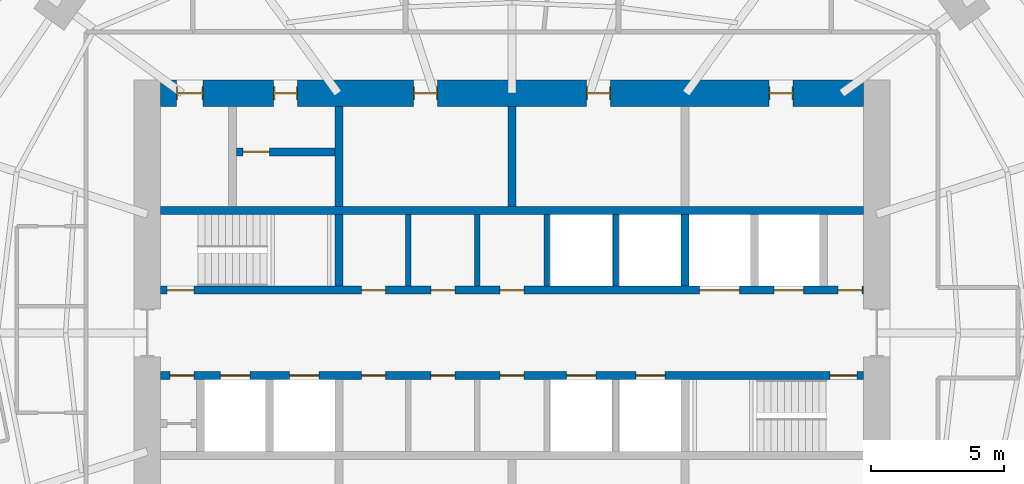
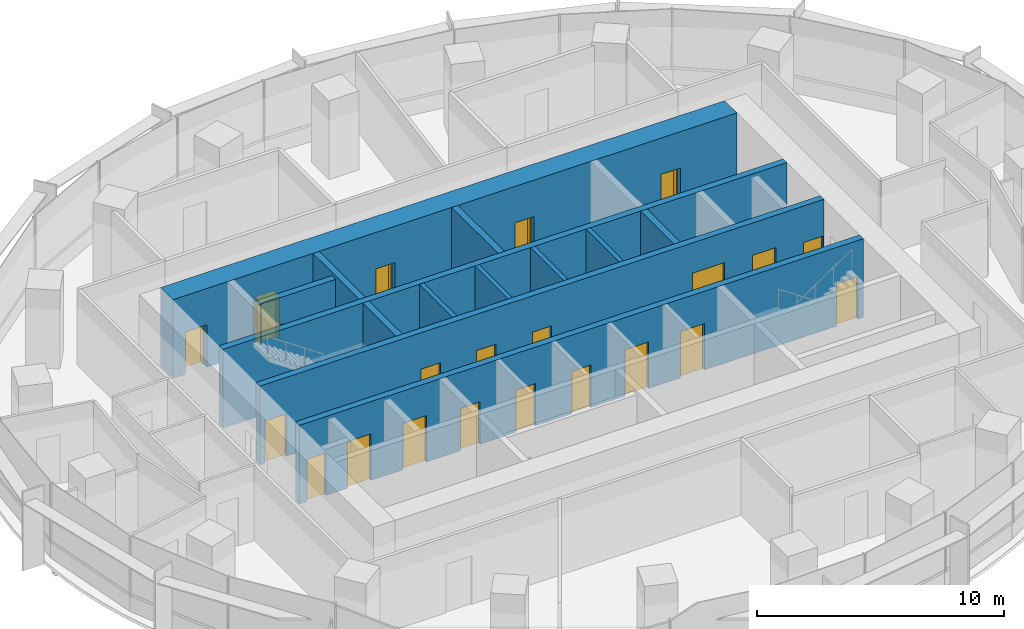
# One storey, part 11 of 14: 22 doors, 13 walls, 22 openings.
"""IFC4 building model written with IfcOpenShell, lengths in metres."""

from ifc_helpers import new_model, si_unit, direction, frame, frame_2d, origin, place, context, subcontext, project, spatial, rectangle, extrude, material, layer, layer_set, type_object, element, fill, save


model = new_model("IFC4")

# Units and contexts
model_context = context("Model", 3, precision=1e-05, world=origin(), true_north=direction((0.0, 1.0)))
body_context = subcontext(model_context, "Body", "Model", "MODEL_VIEW")
ifc_project = project(units=[si_unit("LENGTHUNIT", "METRE"), si_unit("AREAUNIT", "SQUARE_METRE"), si_unit("VOLUMEUNIT", "CUBIC_METRE"), si_unit("PLANEANGLEUNIT", "RADIAN"), si_unit("MASSUNIT", "GRAM", prefix="KILO")], contexts=[model_context])

# Site, building, storey
site_placement = place(None, origin())
site = spatial("IfcSite", under=ifc_project, at=site_placement, CompositionType="ELEMENT")
building_placement = place(site_placement, origin())
building = spatial("IfcBuilding", under=site, at=building_placement, Name="Marramba Exchange Tower", CompositionType="ELEMENT")
storey_placement = place(building_placement, frame((0.0, 0.0, 176.0)))
storey = spatial("IfcBuildingStorey", under=building, at=storey_placement, Name="L42", CompositionType="ELEMENT", Elevation=176.0)

# Walls
ifc_material_1 = material(Name="Concrete N50", Category="concrete")
ifc_layer_1 = layer(ifc_material_1, 0.199951171875)
ifc_layer_set_1 = layer_set([ifc_layer_1], Name="Core shaft wall 200")
wall_type_1 = type_object("IfcWallType", Name="Core shaft wall 200", PredefinedType="SHEAR", material=ifc_layer_set_1)
for number, where, z_axis, x_axis, name in (
    (1, (-3.89990234375, 1.75, 0.0), (0.0, 0.0, 1.0), (0.0, 1.0, 0.0), "Core wall SHN1 L42"),
    (2, (-1.300048828125, 1.75, 0.0), (0.0, 0.0, 1.0), (0.0, 1.0, 0.0), "Core wall SHN2 L42"),
    (3, (1.300048828125, 1.75, 0.0), (0.0, 0.0, 1.0), (0.0, 1.0, 0.0), "Core wall SHN3 L42"),
    (4, (3.89990234375, 1.75, 0.0), (0.0, 0.0, 1.0), (0.0, 1.0, 0.0), "Core wall SHN4 L42"),
):
    element("IfcWall", number, at=place(storey_placement, frame(where, z_axis=z_axis, x_axis=x_axis)), inside=storey, type_object=wall_type_1, Name=name, PredefinedType="SHEAR", context=body_context, shape_type="SweptSolid", body=[
        extrude(rectangle(XDim=2.699951171875, YDim=0.199951171875, at=frame_2d((1.35009765625, 0.0))), origin(), (0.0, 0.0, 1.0), 3.89990234375),
    ])

# Wall, openings, doors
ifc_layer_2 = layer(ifc_material_1, 1.0)
ifc_layer_set_2 = layer_set([ifc_layer_2], Name="Core wall 1000")
wall_type_2 = type_object("IfcWallType", Name="Core wall 1000", PredefinedType="SHEAR", material=ifc_layer_set_2)
wall_1_placement = place(storey_placement, frame((13.199951171875, 9.0, 0.0), z_axis=(0.0, 0.0, 1.0), x_axis=(-1.0, 0.0, 0.0)))
wall_1 = element("IfcWall", 5, at=wall_1_placement, inside=storey, type_object=wall_type_2, Name="Core wall N L42", PredefinedType="SHEAR", context=body_context, shape_type="SweptSolid", body=[
    extrude(rectangle(XDim=26.39990234375, YDim=1.0, at=frame_2d((13.199951171875, 0.0))), origin(), (0.0, 0.0, 1.0), 3.89990234375),
])
opening_1_placement = place(wall_1_placement, frame((2.64990234375, 0.0, 0.0)))
opening_1 = element("IfcOpeningElement", 6, at=opening_1_placement, cuts=wall_1, Name="Opening D5", PredefinedType="OPENING", context=body_context, shape_type="SweptSolid", body=[
    extrude(rectangle(XDim=0.89990234375, YDim=2.10009765625, at=frame_2d((0.449951171875, 1.050048828125))), frame((0.0, 0.510009765625, 0.0), z_axis=(0.0, -1.0, 0.0), x_axis=(1.0, 0.0, 0.0)), (0.0, 0.0, 1.0), 1.02001953125),
])
opening_2_placement = place(wall_1_placement, frame((9.5, 0.0, 0.0)))
opening_2 = element("IfcOpeningElement", 7, at=opening_2_placement, cuts=wall_1, Name="Opening D3", PredefinedType="OPENING", context=body_context, shape_type="SweptSolid", body=[
    extrude(rectangle(XDim=0.89990234375, YDim=2.10009765625, at=frame_2d((0.449951171875, 1.050048828125))), frame((0.0, 0.510009765625, 0.0), z_axis=(0.0, -1.0, 0.0), x_axis=(1.0, 0.0, 0.0)), (0.0, 0.0, 1.0), 1.02001953125),
])
opening_3_placement = place(wall_1_placement, frame((16.0, 0.0, 0.0)))
opening_3 = element("IfcOpeningElement", 8, at=opening_3_placement, cuts=wall_1, Name="Opening D3", PredefinedType="OPENING", context=body_context, shape_type="SweptSolid", body=[
    extrude(rectangle(XDim=0.89990234375, YDim=2.10009765625, at=frame_2d((0.449951171875, 1.050048828125))), frame((0.0, 0.510009765625, 0.0), z_axis=(0.0, -1.0, 0.0), x_axis=(1.0, 0.0, 0.0)), (0.0, 0.0, 1.0), 1.02001953125),
])
opening_4_placement = place(wall_1_placement, frame((21.25, 0.0, 0.0)))
opening_4 = element("IfcOpeningElement", 9, at=opening_4_placement, cuts=wall_1, Name="Opening D5", PredefinedType="OPENING", context=body_context, shape_type="SweptSolid", body=[
    extrude(rectangle(XDim=0.89990234375, YDim=2.10009765625, at=frame_2d((0.449951171875, 1.050048828125))), frame((0.0, 0.510009765625, 0.0), z_axis=(0.0, -1.0, 0.0), x_axis=(1.0, 0.0, 0.0)), (0.0, 0.0, 1.0), 1.02001953125),
])
opening_5_placement = place(wall_1_placement, frame((24.800048828125, 0.0, 0.0)))
opening_5 = element("IfcOpeningElement", 10, at=opening_5_placement, cuts=wall_1, Name="Opening D4", PredefinedType="OPENING", context=body_context, shape_type="SweptSolid", body=[
    extrude(rectangle(XDim=1.0, YDim=2.10009765625, at=frame_2d((0.5, 1.050048828125))), frame((0.0, 0.510009765625, 0.0), z_axis=(0.0, -1.0, 0.0), x_axis=(1.0, 0.0, 0.0)), (0.0, 0.0, 1.0), 1.02001953125),
])
ifc_material_2 = material(Name="Steel-framed door", Category="steel")
door_type_1 = type_object("IfcDoorType", Name="Accessible toilet door 1000x2100", OperationType="SINGLE_SWING_LEFT", PredefinedType="DOOR", material=ifc_material_2)
door_1_placement = place(opening_5_placement, origin())
door_1 = element("IfcDoor", 11, at=door_1_placement, inside=storey, type_object=door_type_1, Name="D4 awc L42", OperationType="SINGLE_SWING_RIGHT", OverallHeight=2.10009765625, OverallWidth=1.0, PredefinedType="DOOR", context=body_context, shape_type="SweptSolid", body=[
    extrude(rectangle(XDim=0.919921875, YDim=2.06005859375, at=frame_2d((0.5, 1.030029296875))), frame((0.0, 0.02490234375, 0.0), z_axis=(0.0, -1.0, 0.0), x_axis=(1.0, 0.0, 0.0)), (0.0, 0.0, 1.0), 0.050048828125),
    extrude(rectangle(XDim=0.04, YDim=2.10009765625, at=frame_2d((0.02001953125, 1.050048828125))), frame((0.0, 0.25, 0.0), z_axis=(0.0, -1.0, 0.0), x_axis=(1.0, 0.0, 0.0)), (0.0, 0.0, 1.0), 0.5),
    extrude(rectangle(XDim=0.04, YDim=2.10009765625, at=frame_2d((0.97998046875, 1.050048828125))), frame((0.0, 0.25, 0.0), z_axis=(0.0, -1.0, 0.0), x_axis=(1.0, 0.0, 0.0)), (0.0, 0.0, 1.0), 0.5),
    extrude(rectangle(XDim=0.919921875, YDim=0.04, at=frame_2d((0.5, 2.080078125))), frame((0.0, 0.25, 0.0), z_axis=(0.0, -1.0, 0.0), x_axis=(1.0, 0.0, 0.0)), (0.0, 0.0, 1.0), 0.5),
])
fill(opening_5, door_1)
door_type_2 = type_object("IfcDoorType", Name="Service door 900x2100", OperationType="SINGLE_SWING_LEFT", PredefinedType="DOOR", material=ifc_material_2)
door_2_placement = place(opening_1_placement, origin())
door_2 = element("IfcDoor", 12, at=door_2_placement, inside=storey, type_object=door_type_2, Name="D5 comms L42", OperationType="SINGLE_SWING_LEFT", OverallHeight=2.10009765625, OverallWidth=0.89990234375, PredefinedType="DOOR", context=body_context, shape_type="SweptSolid", body=[
    extrude(rectangle(XDim=0.81982421875, YDim=2.06005859375, at=frame_2d((0.449951171875, 1.030029296875))), frame((0.0, 0.02490234375, 0.0), z_axis=(0.0, -1.0, 0.0), x_axis=(1.0, 0.0, 0.0)), (0.0, 0.0, 1.0), 0.050048828125),
    extrude(rectangle(XDim=0.04, YDim=2.10009765625, at=frame_2d((0.02001953125, 1.050048828125))), frame((0.0, 0.25, 0.0), z_axis=(0.0, -1.0, 0.0), x_axis=(1.0, 0.0, 0.0)), (0.0, 0.0, 1.0), 0.5),
    extrude(rectangle(XDim=0.04, YDim=2.10009765625, at=frame_2d((0.8798828125, 1.050048828125))), frame((0.0, 0.25, 0.0), z_axis=(0.0, -1.0, 0.0), x_axis=(1.0, 0.0, 0.0)), (0.0, 0.0, 1.0), 0.5),
    extrude(rectangle(XDim=0.81982421875, YDim=0.04, at=frame_2d((0.449951171875, 2.080078125))), frame((0.0, 0.25, 0.0), z_axis=(0.0, -1.0, 0.0), x_axis=(1.0, 0.0, 0.0)), (0.0, 0.0, 1.0), 0.5),
])
fill(opening_1, door_2)
door_3_placement = place(opening_4_placement, origin())
door_3 = element("IfcDoor", 13, at=door_3_placement, inside=storey, type_object=door_type_2, Name="D5 cleaner L42", OperationType="SINGLE_SWING_RIGHT", OverallHeight=2.10009765625, OverallWidth=0.89990234375, PredefinedType="DOOR", context=body_context, shape_type="SweptSolid", body=[
    extrude(rectangle(XDim=0.81982421875, YDim=2.06005859375, at=frame_2d((0.449951171875, 1.030029296875))), frame((0.0, 0.02490234375, 0.0), z_axis=(0.0, -1.0, 0.0), x_axis=(1.0, 0.0, 0.0)), (0.0, 0.0, 1.0), 0.050048828125),
    extrude(rectangle(XDim=0.04, YDim=2.10009765625, at=frame_2d((0.02001953125, 1.050048828125))), frame((0.0, 0.25, 0.0), z_axis=(0.0, -1.0, 0.0), x_axis=(1.0, 0.0, 0.0)), (0.0, 0.0, 1.0), 0.5),
    extrude(rectangle(XDim=0.04, YDim=2.10009765625, at=frame_2d((0.8798828125, 1.050048828125))), frame((0.0, 0.25, 0.0), z_axis=(0.0, -1.0, 0.0), x_axis=(1.0, 0.0, 0.0)), (0.0, 0.0, 1.0), 0.5),
    extrude(rectangle(XDim=0.81982421875, YDim=0.04, at=frame_2d((0.449951171875, 2.080078125))), frame((0.0, 0.25, 0.0), z_axis=(0.0, -1.0, 0.0), x_axis=(1.0, 0.0, 0.0)), (0.0, 0.0, 1.0), 0.5),
])
fill(opening_4, door_3)
door_type_3 = type_object("IfcDoorType", Name="Toilet door 900x2100", OperationType="SINGLE_SWING_LEFT", PredefinedType="DOOR", material=ifc_material_2)
door_4_placement = place(opening_2_placement, origin())
door_4 = element("IfcDoor", 14, at=door_4_placement, inside=storey, type_object=door_type_3, Name="D3 wc-f L42", OperationType="SINGLE_SWING_RIGHT", OverallHeight=2.10009765625, OverallWidth=0.89990234375, PredefinedType="DOOR", context=body_context, shape_type="SweptSolid", body=[
    extrude(rectangle(XDim=0.81982421875, YDim=2.06005859375, at=frame_2d((0.449951171875, 1.030029296875))), frame((0.0, 0.02490234375, 0.0), z_axis=(0.0, -1.0, 0.0), x_axis=(1.0, 0.0, 0.0)), (0.0, 0.0, 1.0), 0.050048828125),
    extrude(rectangle(XDim=0.04, YDim=2.10009765625, at=frame_2d((0.02001953125, 1.050048828125))), frame((0.0, 0.25, 0.0), z_axis=(0.0, -1.0, 0.0), x_axis=(1.0, 0.0, 0.0)), (0.0, 0.0, 1.0), 0.5),
    extrude(rectangle(XDim=0.04, YDim=2.10009765625, at=frame_2d((0.8798828125, 1.050048828125))), frame((0.0, 0.25, 0.0), z_axis=(0.0, -1.0, 0.0), x_axis=(1.0, 0.0, 0.0)), (0.0, 0.0, 1.0), 0.5),
    extrude(rectangle(XDim=0.81982421875, YDim=0.04, at=frame_2d((0.449951171875, 2.080078125))), frame((0.0, 0.25, 0.0), z_axis=(0.0, -1.0, 0.0), x_axis=(1.0, 0.0, 0.0)), (0.0, 0.0, 1.0), 0.5),
])
fill(opening_2, door_4)
door_5_placement = place(opening_3_placement, origin())
door_5 = element("IfcDoor", 15, at=door_5_placement, inside=storey, type_object=door_type_3, Name="D3 wc-m L42", OperationType="SINGLE_SWING_RIGHT", OverallHeight=2.10009765625, OverallWidth=0.89990234375, PredefinedType="DOOR", context=body_context, shape_type="SweptSolid", body=[
    extrude(rectangle(XDim=0.81982421875, YDim=2.06005859375, at=frame_2d((0.449951171875, 1.030029296875))), frame((0.0, 0.02490234375, 0.0), z_axis=(0.0, -1.0, 0.0), x_axis=(1.0, 0.0, 0.0)), (0.0, 0.0, 1.0), 0.050048828125),
    extrude(rectangle(XDim=0.04, YDim=2.10009765625, at=frame_2d((0.02001953125, 1.050048828125))), frame((0.0, 0.25, 0.0), z_axis=(0.0, -1.0, 0.0), x_axis=(1.0, 0.0, 0.0)), (0.0, 0.0, 1.0), 0.5),
    extrude(rectangle(XDim=0.04, YDim=2.10009765625, at=frame_2d((0.8798828125, 1.050048828125))), frame((0.0, 0.25, 0.0), z_axis=(0.0, -1.0, 0.0), x_axis=(1.0, 0.0, 0.0)), (0.0, 0.0, 1.0), 0.5),
    extrude(rectangle(XDim=0.81982421875, YDim=0.04, at=frame_2d((0.449951171875, 2.080078125))), frame((0.0, 0.25, 0.0), z_axis=(0.0, -1.0, 0.0), x_axis=(1.0, 0.0, 0.0)), (0.0, 0.0, 1.0), 0.5),
])
fill(opening_3, door_5)

ifc_layer_3 = layer(ifc_material_1, 0.300048828125)
ifc_layer_set_3 = layer_set([ifc_layer_3], Name="Core wall 300")
wall_type_3 = type_object("IfcWallType", Name="Core wall 300", PredefinedType="SHEAR", material=ifc_layer_set_3)
wall_2_placement = place(storey_placement, frame((-13.199951171875, 1.60009765625, 0.0), z_axis=(0.0, 0.0, 1.0), x_axis=(1.0, 0.0, 0.0)))
wall_2 = element("IfcWall", 16, at=wall_2_placement, inside=storey, type_object=wall_type_3, Name="Core wall LN L42", PredefinedType="SHEAR", context=body_context, shape_type="SweptSolid", body=[
    extrude(rectangle(XDim=26.39990234375, YDim=0.300048828125, at=frame_2d((13.199951171875, 0.0))), origin(), (0.0, 0.0, 1.0), 3.89990234375),
])
opening_6_placement = place(wall_2_placement, frame((0.25, 0.0, 0.0)))
opening_6 = element("IfcOpeningElement", 17, at=opening_6_placement, cuts=wall_2, Name="Opening D2", PredefinedType="OPENING", context=body_context, shape_type="SweptSolid", body=[
    extrude(rectangle(XDim=1.0, YDim=2.10009765625, at=frame_2d((0.5, 1.050048828125))), frame((0.0, 0.159912109375, 0.0), z_axis=(0.0, -1.0, 0.0), x_axis=(1.0, 0.0, 0.0)), (0.0, 0.0, 1.0), 0.320068359375),
])
opening_7_placement = place(wall_2_placement, frame((23.050048828125, 0.0, 0.0)))
opening_7 = element("IfcOpeningElement", 18, at=opening_7_placement, cuts=wall_2, Name="Opening LD1", PredefinedType="OPENING", context=body_context, shape_type="SweptSolid", body=[
    extrude(rectangle(XDim=1.10009765625, YDim=2.300048828125, at=frame_2d((0.550048828125, 1.14990234375))), frame((0.0, 0.159912109375, 0.0), z_axis=(0.0, -1.0, 0.0), x_axis=(1.0, 0.0, 0.0)), (0.0, 0.0, 1.0), 0.320068359375),
])
opening_8_placement = place(wall_2_placement, frame((20.25, 0.0, 0.0)))
opening_8 = element("IfcOpeningElement", 19, at=opening_8_placement, cuts=wall_2, Name="Opening LD3", PredefinedType="OPENING", context=body_context, shape_type="SweptSolid", body=[
    extrude(rectangle(XDim=1.5, YDim=2.39990234375, at=frame_2d((0.75, 1.199951171875))), frame((0.0, 0.159912109375, 0.0), z_axis=(0.0, -1.0, 0.0), x_axis=(1.0, 0.0, 0.0)), (0.0, 0.0, 1.0), 0.320068359375),
])
opening_9_placement = place(wall_2_placement, frame((7.550048828125, 0.0, 0.0)))
opening_9 = element("IfcOpeningElement", 20, at=opening_9_placement, cuts=wall_2, Name="Opening D5", PredefinedType="OPENING", context=body_context, shape_type="SweptSolid", body=[
    extrude(rectangle(XDim=0.89990234375, YDim=2.10009765625, at=frame_2d((0.449951171875, 1.050048828125))), frame((0.0, 0.159912109375, 0.0), z_axis=(0.0, -1.0, 0.0), x_axis=(1.0, 0.0, 0.0)), (0.0, 0.0, 1.0), 0.320068359375),
])
opening_10_placement = place(wall_2_placement, frame((10.14990234375, 0.0, 0.0)))
opening_10 = element("IfcOpeningElement", 21, at=opening_10_placement, cuts=wall_2, Name="Opening D5", PredefinedType="OPENING", context=body_context, shape_type="SweptSolid", body=[
    extrude(rectangle(XDim=0.89990234375, YDim=2.10009765625, at=frame_2d((0.449951171875, 1.050048828125))), frame((0.0, 0.159912109375, 0.0), z_axis=(0.0, -1.0, 0.0), x_axis=(1.0, 0.0, 0.0)), (0.0, 0.0, 1.0), 0.320068359375),
])
opening_11_placement = place(wall_2_placement, frame((12.75, 0.0, 0.0)))
opening_11 = element("IfcOpeningElement", 22, at=opening_11_placement, cuts=wall_2, Name="Opening D5", PredefinedType="OPENING", context=body_context, shape_type="SweptSolid", body=[
    extrude(rectangle(XDim=0.89990234375, YDim=2.10009765625, at=frame_2d((0.449951171875, 1.050048828125))), frame((0.0, 0.159912109375, 0.0), z_axis=(0.0, -1.0, 0.0), x_axis=(1.0, 0.0, 0.0)), (0.0, 0.0, 1.0), 0.320068359375),
])
opening_12_placement = place(wall_2_placement, frame((25.449951171875, 0.0, 0.0)))
opening_12 = element("IfcOpeningElement", 23, at=opening_12_placement, cuts=wall_2, Name="Opening D5", PredefinedType="OPENING", context=body_context, shape_type="SweptSolid", body=[
    extrude(rectangle(XDim=0.89990234375, YDim=2.10009765625, at=frame_2d((0.449951171875, 1.050048828125))), frame((0.0, 0.159912109375, 0.0), z_axis=(0.0, -1.0, 0.0), x_axis=(1.0, 0.0, 0.0)), (0.0, 0.0, 1.0), 0.320068359375),
])
door_type_4 = type_object("IfcDoorType", Name="Goods lift landing door 1500x2400", OperationType="SLIDING_TO_LEFT", PredefinedType="DOOR", material=ifc_material_2)
door_6_placement = place(opening_8_placement, origin())
door_6 = element("IfcDoor", 24, at=door_6_placement, inside=storey, type_object=door_type_4, Name="GL1 landing door L42", OperationType="SLIDING_TO_LEFT", OverallHeight=2.39990234375, OverallWidth=1.5, PredefinedType="DOOR", context=body_context, shape_type="SweptSolid", body=[
    extrude(rectangle(XDim=1.5, YDim=2.39990234375, at=frame_2d((0.75, 1.199951171875))), frame((0.0, 0.02490234375, 0.0), z_axis=(0.0, -1.0, 0.0), x_axis=(1.0, 0.0, 0.0)), (0.0, 0.0, 1.0), 0.050048828125),
])
fill(opening_8, door_6)
door_type_5 = type_object("IfcDoorType", Name="Lift landing door 1100x2300", OperationType="SLIDING_TO_LEFT", PredefinedType="DOOR", material=ifc_material_2)
door_7_placement = place(opening_7_placement, origin())
door_7 = element("IfcDoor", 25, at=door_7_placement, inside=storey, type_object=door_type_5, Name="LC3 landing door L42", OperationType="SLIDING_TO_LEFT", OverallHeight=2.300048828125, OverallWidth=1.10009765625, PredefinedType="DOOR", context=body_context, shape_type="SweptSolid", body=[
    extrude(rectangle(XDim=1.10009765625, YDim=2.300048828125, at=frame_2d((0.550048828125, 1.14990234375))), frame((0.0, 0.02490234375, 0.0), z_axis=(0.0, -1.0, 0.0), x_axis=(1.0, 0.0, 0.0)), (0.0, 0.0, 1.0), 0.050048828125),
])
fill(opening_7, door_7)
door_8_placement = place(opening_9_placement, origin())
door_8 = element("IfcDoor", 26, at=door_8_placement, inside=storey, type_object=door_type_2, Name="D5 stationery store L42", OperationType="SINGLE_SWING_RIGHT", OverallHeight=2.10009765625, OverallWidth=0.89990234375, PredefinedType="DOOR", context=body_context, shape_type="SweptSolid", body=[
    extrude(rectangle(XDim=0.89990234375, YDim=2.10009765625, at=frame_2d((0.449951171875, 1.050048828125))), frame((0.0, 0.02490234375, 0.0), z_axis=(0.0, -1.0, 0.0), x_axis=(1.0, 0.0, 0.0)), (0.0, 0.0, 1.0), 0.050048828125),
])
fill(opening_9, door_8)
door_9_placement = place(opening_10_placement, origin())
door_9 = element("IfcDoor", 27, at=door_9_placement, inside=storey, type_object=door_type_2, Name="D5 switch room L42", OperationType="SINGLE_SWING_RIGHT", OverallHeight=2.10009765625, OverallWidth=0.89990234375, PredefinedType="DOOR", context=body_context, shape_type="SweptSolid", body=[
    extrude(rectangle(XDim=0.89990234375, YDim=2.10009765625, at=frame_2d((0.449951171875, 1.050048828125))), frame((0.0, 0.02490234375, 0.0), z_axis=(0.0, -1.0, 0.0), x_axis=(1.0, 0.0, 0.0)), (0.0, 0.0, 1.0), 0.050048828125),
])
fill(opening_10, door_9)
door_10_placement = place(opening_11_placement, origin())
door_10 = element("IfcDoor", 28, at=door_10_placement, inside=storey, type_object=door_type_2, Name="D5 waste room L42", OperationType="SINGLE_SWING_RIGHT", OverallHeight=2.10009765625, OverallWidth=0.89990234375, PredefinedType="DOOR", context=body_context, shape_type="SweptSolid", body=[
    extrude(rectangle(XDim=0.89990234375, YDim=2.10009765625, at=frame_2d((0.449951171875, 1.050048828125))), frame((0.0, 0.02490234375, 0.0), z_axis=(0.0, -1.0, 0.0), x_axis=(1.0, 0.0, 0.0)), (0.0, 0.0, 1.0), 0.050048828125),
])
fill(opening_11, door_10)
door_11_placement = place(opening_12_placement, origin())
door_11 = element("IfcDoor", 29, at=door_11_placement, inside=storey, type_object=door_type_2, Name="D5 riser L42", OperationType="SINGLE_SWING_RIGHT", OverallHeight=2.10009765625, OverallWidth=0.89990234375, PredefinedType="DOOR", context=body_context, shape_type="SweptSolid", body=[
    extrude(rectangle(XDim=0.89990234375, YDim=2.10009765625, at=frame_2d((0.449951171875, 1.050048828125))), frame((0.0, 0.02490234375, 0.0), z_axis=(0.0, -1.0, 0.0), x_axis=(1.0, 0.0, 0.0)), (0.0, 0.0, 1.0), 0.050048828125),
])
fill(opening_12, door_11)
door_type_6 = type_object("IfcDoorType", Name="Stair door 1000x2100", OperationType="SINGLE_SWING_LEFT", PredefinedType="DOOR", material=ifc_material_2)
door_12_placement = place(opening_6_placement, origin())
door_12 = element("IfcDoor", 30, at=door_12_placement, inside=storey, type_object=door_type_6, Name="D2 stair ST1 L42", OperationType="SINGLE_SWING_LEFT", OverallHeight=2.10009765625, OverallWidth=1.0, PredefinedType="DOOR", context=body_context, shape_type="SweptSolid", body=[
    extrude(rectangle(XDim=1.0, YDim=2.10009765625, at=frame_2d((0.5, 1.050048828125))), frame((0.0, 0.02490234375, 0.0), z_axis=(0.0, -1.0, 0.0), x_axis=(1.0, 0.0, 0.0)), (0.0, 0.0, 1.0), 0.050048828125),
])
fill(opening_6, door_12)

wall_3_placement = place(storey_placement, frame((-13.199951171875, -1.60009765625, 0.0), z_axis=(0.0, 0.0, 1.0), x_axis=(1.0, 0.0, 0.0)))
wall_3 = element("IfcWall", 31, at=wall_3_placement, inside=storey, type_object=wall_type_3, Name="Core wall LS L42", PredefinedType="SHEAR", context=body_context, shape_type="SweptSolid", body=[
    extrude(rectangle(XDim=26.39990234375, YDim=0.300048828125, at=frame_2d((13.199951171875, 0.0))), origin(), (0.0, 0.0, 1.0), 3.89990234375),
])
opening_13_placement = place(wall_3_placement, frame((25.14990234375, 0.0, 0.0)))
opening_13 = element("IfcOpeningElement", 32, at=opening_13_placement, cuts=wall_3, Name="Opening D2", PredefinedType="OPENING", context=body_context, shape_type="SweptSolid", body=[
    extrude(rectangle(XDim=1.0, YDim=2.10009765625, at=frame_2d((0.5, 1.050048828125))), frame((0.0, 0.159912109375, 0.0), z_axis=(0.0, -1.0, 0.0), x_axis=(1.0, 0.0, 0.0)), (0.0, 0.0, 1.0), 0.320068359375),
])
opening_14_placement = place(wall_3_placement, frame((7.550048828125, 0.0, 0.0)))
opening_14 = element("IfcOpeningElement", 33, at=opening_14_placement, cuts=wall_3, Name="Opening D5", PredefinedType="OPENING", context=body_context, shape_type="SweptSolid", body=[
    extrude(rectangle(XDim=0.89990234375, YDim=2.10009765625, at=frame_2d((0.449951171875, 1.050048828125))), frame((0.0, 0.159912109375, 0.0), z_axis=(0.0, -1.0, 0.0), x_axis=(1.0, 0.0, 0.0)), (0.0, 0.0, 1.0), 0.320068359375),
])
opening_15_placement = place(wall_3_placement, frame((10.14990234375, 0.0, 0.0)))
opening_15 = element("IfcOpeningElement", 34, at=opening_15_placement, cuts=wall_3, Name="Opening D5", PredefinedType="OPENING", context=body_context, shape_type="SweptSolid", body=[
    extrude(rectangle(XDim=0.89990234375, YDim=2.10009765625, at=frame_2d((0.449951171875, 1.050048828125))), frame((0.0, 0.159912109375, 0.0), z_axis=(0.0, -1.0, 0.0), x_axis=(1.0, 0.0, 0.0)), (0.0, 0.0, 1.0), 0.320068359375),
])
opening_16_placement = place(wall_3_placement, frame((12.75, 0.0, 0.0)))
opening_16 = element("IfcOpeningElement", 35, at=opening_16_placement, cuts=wall_3, Name="Opening D3", PredefinedType="OPENING", context=body_context, shape_type="SweptSolid", body=[
    extrude(rectangle(XDim=0.89990234375, YDim=2.10009765625, at=frame_2d((0.449951171875, 1.050048828125))), frame((0.0, 0.159912109375, 0.0), z_axis=(0.0, -1.0, 0.0), x_axis=(1.0, 0.0, 0.0)), (0.0, 0.0, 1.0), 0.320068359375),
])
opening_17_placement = place(wall_3_placement, frame((15.25, 0.0, 0.0)))
opening_17 = element("IfcOpeningElement", 36, at=opening_17_placement, cuts=wall_3, Name="Opening LD2", PredefinedType="OPENING", context=body_context, shape_type="SweptSolid", body=[
    extrude(rectangle(XDim=1.10009765625, YDim=2.300048828125, at=frame_2d((0.550048828125, 1.14990234375))), frame((0.0, 0.159912109375, 0.0), z_axis=(0.0, -1.0, 0.0), x_axis=(1.0, 0.0, 0.0)), (0.0, 0.0, 1.0), 0.320068359375),
])
opening_18_placement = place(wall_3_placement, frame((17.85009765625, 0.0, 0.0)))
opening_18 = element("IfcOpeningElement", 37, at=opening_18_placement, cuts=wall_3, Name="Opening LD2", PredefinedType="OPENING", context=body_context, shape_type="SweptSolid", body=[
    extrude(rectangle(XDim=1.10009765625, YDim=2.300048828125, at=frame_2d((0.550048828125, 1.14990234375))), frame((0.0, 0.159912109375, 0.0), z_axis=(0.0, -1.0, 0.0), x_axis=(1.0, 0.0, 0.0)), (0.0, 0.0, 1.0), 0.320068359375),
])
opening_19_placement = place(wall_3_placement, frame((4.85009765625, 0.0, 0.0)))
opening_19 = element("IfcOpeningElement", 38, at=opening_19_placement, cuts=wall_3, Name="Opening LD1", PredefinedType="OPENING", context=body_context, shape_type="SweptSolid", body=[
    extrude(rectangle(XDim=1.10009765625, YDim=2.300048828125, at=frame_2d((0.550048828125, 1.14990234375))), frame((0.0, 0.159912109375, 0.0), z_axis=(0.0, -1.0, 0.0), x_axis=(1.0, 0.0, 0.0)), (0.0, 0.0, 1.0), 0.320068359375),
])
opening_20_placement = place(wall_3_placement, frame((2.25, 0.0, 0.0)))
opening_20 = element("IfcOpeningElement", 39, at=opening_20_placement, cuts=wall_3, Name="Opening LD1", PredefinedType="OPENING", context=body_context, shape_type="SweptSolid", body=[
    extrude(rectangle(XDim=1.10009765625, YDim=2.300048828125, at=frame_2d((0.550048828125, 1.14990234375))), frame((0.0, 0.159912109375, 0.0), z_axis=(0.0, -1.0, 0.0), x_axis=(1.0, 0.0, 0.0)), (0.0, 0.0, 1.0), 0.320068359375),
])
opening_21_placement = place(wall_3_placement, frame((0.35009765625, 0.0, 0.0)))
opening_21 = element("IfcOpeningElement", 40, at=opening_21_placement, cuts=wall_3, Name="Opening D5", PredefinedType="OPENING", context=body_context, shape_type="SweptSolid", body=[
    extrude(rectangle(XDim=0.89990234375, YDim=2.10009765625, at=frame_2d((0.449951171875, 1.050048828125))), frame((0.0, 0.159912109375, 0.0), z_axis=(0.0, -1.0, 0.0), x_axis=(1.0, 0.0, 0.0)), (0.0, 0.0, 1.0), 0.320068359375),
])
door_type_7 = type_object("IfcDoorType", Name="Emergency lift landing door 1100x2300", OperationType="SLIDING_TO_LEFT", PredefinedType="DOOR", material=ifc_material_2)
door_13_placement = place(opening_17_placement, frame((1.10009765625, 0.0, 0.0), z_axis=(0.0, 0.0, 1.0), x_axis=(-1.0, 0.0, 0.0)))
door_13 = element("IfcDoor", 41, at=door_13_placement, inside=storey, type_object=door_type_7, Name="FL1 landing door L42", OperationType="SLIDING_TO_RIGHT", OverallHeight=2.300048828125, OverallWidth=1.10009765625, PredefinedType="DOOR", context=body_context, shape_type="SweptSolid", body=[
    extrude(rectangle(XDim=1.10009765625, YDim=2.300048828125, at=frame_2d((0.550048828125, 1.14990234375))), frame((0.0, 0.025146484375, 0.0), z_axis=(0.0, -1.0, 0.0), x_axis=(1.0, 0.0, 0.0)), (0.0, 0.0, 1.0), 0.050048828125),
])
fill(opening_17, door_13)
door_14_placement = place(opening_18_placement, frame((1.10009765625, 0.0, 0.0), z_axis=(0.0, 0.0, 1.0), x_axis=(-1.0, 0.0, 0.0)))
door_14 = element("IfcDoor", 42, at=door_14_placement, inside=storey, type_object=door_type_7, Name="FL2 landing door L42", OperationType="SLIDING_TO_LEFT", OverallHeight=2.300048828125, OverallWidth=1.10009765625, PredefinedType="DOOR", context=body_context, shape_type="SweptSolid", body=[
    extrude(rectangle(XDim=1.10009765625, YDim=2.300048828125, at=frame_2d((0.550048828125, 1.14990234375))), frame((0.0, 0.025146484375, 0.0), z_axis=(0.0, -1.0, 0.0), x_axis=(1.0, 0.0, 0.0)), (0.0, 0.0, 1.0), 0.050048828125),
])
fill(opening_18, door_14)
door_15_placement = place(opening_19_placement, frame((1.10009765625, 0.0, 0.0), z_axis=(0.0, 0.0, 1.0), x_axis=(-1.0, 0.0, 0.0)))
door_15 = element("IfcDoor", 43, at=door_15_placement, inside=storey, type_object=door_type_5, Name="LC1 landing door L42", OperationType="SLIDING_TO_LEFT", OverallHeight=2.300048828125, OverallWidth=1.10009765625, PredefinedType="DOOR", context=body_context, shape_type="SweptSolid", body=[
    extrude(rectangle(XDim=1.10009765625, YDim=2.300048828125, at=frame_2d((0.550048828125, 1.14990234375))), frame((0.0, 0.025146484375, 0.0), z_axis=(0.0, -1.0, 0.0), x_axis=(1.0, 0.0, 0.0)), (0.0, 0.0, 1.0), 0.050048828125),
])
fill(opening_19, door_15)
door_16_placement = place(opening_20_placement, frame((1.10009765625, 0.0, 0.0), z_axis=(0.0, 0.0, 1.0), x_axis=(-1.0, 0.0, 0.0)))
door_16 = element("IfcDoor", 44, at=door_16_placement, inside=storey, type_object=door_type_5, Name="LC2 landing door L42", OperationType="SLIDING_TO_LEFT", OverallHeight=2.300048828125, OverallWidth=1.10009765625, PredefinedType="DOOR", context=body_context, shape_type="SweptSolid", body=[
    extrude(rectangle(XDim=1.10009765625, YDim=2.300048828125, at=frame_2d((0.550048828125, 1.14990234375))), frame((0.0, 0.025146484375, 0.0), z_axis=(0.0, -1.0, 0.0), x_axis=(1.0, 0.0, 0.0)), (0.0, 0.0, 1.0), 0.050048828125),
])
fill(opening_20, door_16)
door_17_placement = place(opening_14_placement, frame((0.89990234375, 0.0, 0.0), z_axis=(0.0, 0.0, 1.0), x_axis=(-1.0, 0.0, 0.0)))
door_17 = element("IfcDoor", 45, at=door_17_placement, inside=storey, type_object=door_type_2, Name="D5 general store L42", OperationType="SINGLE_SWING_RIGHT", OverallHeight=2.10009765625, OverallWidth=0.89990234375, PredefinedType="DOOR", context=body_context, shape_type="SweptSolid", body=[
    extrude(rectangle(XDim=0.89990234375, YDim=2.10009765625, at=frame_2d((0.449951171875, 1.050048828125))), frame((0.0, 0.025146484375, 0.0), z_axis=(0.0, -1.0, 0.0), x_axis=(1.0, 0.0, 0.0)), (0.0, 0.0, 1.0), 0.050048828125),
])
fill(opening_14, door_17)
door_18_placement = place(opening_15_placement, frame((0.89990234375, 0.0, 0.0), z_axis=(0.0, 0.0, 1.0), x_axis=(-1.0, 0.0, 0.0)))
door_18 = element("IfcDoor", 46, at=door_18_placement, inside=storey, type_object=door_type_2, Name="D5 store n1 L42", OperationType="SINGLE_SWING_RIGHT", OverallHeight=2.10009765625, OverallWidth=0.89990234375, PredefinedType="DOOR", context=body_context, shape_type="SweptSolid", body=[
    extrude(rectangle(XDim=0.89990234375, YDim=2.10009765625, at=frame_2d((0.449951171875, 1.050048828125))), frame((0.0, 0.025146484375, 0.0), z_axis=(0.0, -1.0, 0.0), x_axis=(1.0, 0.0, 0.0)), (0.0, 0.0, 1.0), 0.050048828125),
])
fill(opening_15, door_18)
door_19_placement = place(opening_21_placement, frame((0.89990234375, 0.0, 0.0), z_axis=(0.0, 0.0, 1.0), x_axis=(-1.0, 0.0, 0.0)))
door_19 = element("IfcDoor", 47, at=door_19_placement, inside=storey, type_object=door_type_2, Name="D5 electrical riser L42", OperationType="SINGLE_SWING_LEFT", OverallHeight=2.10009765625, OverallWidth=0.89990234375, PredefinedType="DOOR", context=body_context, shape_type="SweptSolid", body=[
    extrude(rectangle(XDim=0.89990234375, YDim=2.10009765625, at=frame_2d((0.449951171875, 1.050048828125))), frame((0.0, 0.025146484375, 0.0), z_axis=(0.0, -1.0, 0.0), x_axis=(1.0, 0.0, 0.0)), (0.0, 0.0, 1.0), 0.050048828125),
])
fill(opening_21, door_19)
door_20_placement = place(opening_13_placement, frame((1.0, 0.0, 0.0), z_axis=(0.0, 0.0, 1.0), x_axis=(-1.0, 0.0, 0.0)))
door_20 = element("IfcDoor", 48, at=door_20_placement, inside=storey, type_object=door_type_6, Name="D2 stair ST2 L42", OperationType="SINGLE_SWING_LEFT", OverallHeight=2.10009765625, OverallWidth=1.0, PredefinedType="DOOR", context=body_context, shape_type="SweptSolid", body=[
    extrude(rectangle(XDim=1.0, YDim=2.10009765625, at=frame_2d((0.5, 1.050048828125))), frame((0.0, 0.025146484375, 0.0), z_axis=(0.0, -1.0, 0.0), x_axis=(1.0, 0.0, 0.0)), (0.0, 0.0, 1.0), 0.050048828125),
])
fill(opening_13, door_20)
door_21_placement = place(opening_16_placement, frame((0.89990234375, 0.0, 0.0), z_axis=(0.0, 0.0, 1.0), x_axis=(-1.0, 0.0, 0.0)))
door_21 = element("IfcDoor", 49, at=door_21_placement, inside=storey, type_object=door_type_3, Name="D3 staff wc n2 L42", OperationType="SINGLE_SWING_RIGHT", OverallHeight=2.10009765625, OverallWidth=0.89990234375, PredefinedType="DOOR", context=body_context, shape_type="SweptSolid", body=[
    extrude(rectangle(XDim=0.89990234375, YDim=2.10009765625, at=frame_2d((0.449951171875, 1.050048828125))), frame((0.0, 0.025146484375, 0.0), z_axis=(0.0, -1.0, 0.0), x_axis=(1.0, 0.0, 0.0)), (0.0, 0.0, 1.0), 0.050048828125),
])
fill(opening_16, door_21)

# Walls
wall_4_placement = place(storey_placement, frame((-13.199951171875, 4.60009765625, 0.0), z_axis=(0.0, 0.0, 1.0), x_axis=(1.0, 0.0, 0.0)))
element("IfcWall", 50, at=wall_4_placement, inside=storey, type_object=wall_type_3, Name="Core wall BN L42", PredefinedType="SHEAR", context=body_context, shape_type="SweptSolid", body=[
    extrude(rectangle(XDim=26.39990234375, YDim=0.300048828125, at=frame_2d((13.199951171875, 0.0))), origin(), (0.0, 0.0, 1.0), 3.89990234375),
])
wall_5_placement = place(storey_placement, frame((-6.5, 1.75, 0.0), z_axis=(0.0, 0.0, 1.0), x_axis=(0.0, 1.0, 0.0)))
element("IfcWall", 51, at=wall_5_placement, inside=storey, type_object=wall_type_3, Name="Core wall X0Na L42", PredefinedType="SHEAR", context=body_context, shape_type="SweptSolid", body=[
    extrude(rectangle(XDim=2.699951171875, YDim=0.300048828125, at=frame_2d((1.35009765625, 0.0))), origin(), (0.0, 0.0, 1.0), 3.89990234375),
])
wall_6_placement = place(storey_placement, frame((-6.5, 4.75, 0.0), z_axis=(0.0, 0.0, 1.0), x_axis=(0.0, 1.0, 0.0)))
element("IfcWall", 52, at=wall_6_placement, inside=storey, type_object=wall_type_3, Name="Core wall X0Nb L42", PredefinedType="SHEAR", context=body_context, shape_type="SweptSolid", body=[
    extrude(rectangle(XDim=3.75, YDim=0.300048828125, at=frame_2d((1.875, 0.0))), origin(), (0.0, 0.0, 1.0), 3.89990234375),
])
wall_7_placement = place(storey_placement, frame((6.5, 1.75, 0.0), z_axis=(0.0, 0.0, 1.0), x_axis=(0.0, 1.0, 0.0)))
element("IfcWall", 53, at=wall_7_placement, inside=storey, type_object=wall_type_3, Name="Core wall X1Na L42", PredefinedType="SHEAR", context=body_context, shape_type="SweptSolid", body=[
    extrude(rectangle(XDim=2.699951171875, YDim=0.300048828125, at=frame_2d((1.35009765625, 0.0))), origin(), (0.0, 0.0, 1.0), 3.89990234375),
])
wall_8_placement = place(storey_placement, frame((0.0, 4.75, 0.0), z_axis=(0.0, 0.0, 1.0), x_axis=(0.0, 1.0, 0.0)))
element("IfcWall", 54, at=wall_8_placement, inside=storey, type_object=wall_type_3, Name="Core wall MN L42", PredefinedType="SHEAR", context=body_context, shape_type="SweptSolid", body=[
    extrude(rectangle(XDim=3.75, YDim=0.300048828125, at=frame_2d((1.875, 0.0))), origin(), (0.0, 0.0, 1.0), 3.89990234375),
])

# Wall, opening, door
ifc_material_3 = material(Name="Plasterboard on steel studs, insulated, unrated", Category="steel")
ifc_layer_4 = layer(ifc_material_3, 0.300048828125)
ifc_layer_set_4 = layer_set([ifc_layer_4], Name="Store partition 300")
wall_type_4 = type_object("IfcWallType", Name="Store partition 300", PredefinedType="PARTITIONING", material=ifc_layer_set_4)
wall_9_placement = place(storey_placement, frame((-10.35009765625, 6.800048828125, 0.0), z_axis=(0.0, 0.0, 1.0), x_axis=(1.0, 0.0, 0.0)))
wall_9 = element("IfcWall", 55, at=wall_9_placement, inside=storey, type_object=wall_type_4, Name="Store partition L42 cleaner", PredefinedType="PARTITIONING", context=body_context, shape_type="SweptSolid", body=[
    extrude(rectangle(XDim=3.7001953125, YDim=0.300048828125, at=frame_2d((1.85009765625, 0.0))), origin(), (0.0, 0.0, 1.0), 3.739990234375),
])
opening_22_placement = place(wall_9_placement, frame((0.25, 0.0, 0.0)))
opening_22 = element("IfcOpeningElement", 56, at=opening_22_placement, cuts=wall_9, Name="Opening D9", PredefinedType="OPENING", context=body_context, shape_type="SweptSolid", body=[
    extrude(rectangle(XDim=1.0, YDim=2.39990234375, at=frame_2d((0.5, 1.199951171875))), frame((0.0, 0.159912109375, 0.0), z_axis=(0.0, -1.0, 0.0), x_axis=(1.0, 0.0, 0.0)), (0.0, 0.0, 1.0), 0.320068359375),
])
ifc_material_4 = material(Name="Timber door", Category="wood")
door_type_8 = type_object("IfcDoorType", Name="Room door 1000x2400", OperationType="SINGLE_SWING_LEFT", PredefinedType="DOOR", material=ifc_material_4)
door_22_placement = place(opening_22_placement, origin())
door_22 = element("IfcDoor", 57, at=door_22_placement, inside=storey, type_object=door_type_8, Name="D9 cleaning store L42", OperationType="SINGLE_SWING_LEFT", OverallHeight=2.39990234375, OverallWidth=1.0, PredefinedType="DOOR", context=body_context, shape_type="SweptSolid", body=[
    extrude(rectangle(XDim=1.0, YDim=2.39990234375, at=frame_2d((0.5, 1.199951171875))), frame((0.0, 0.02490234375, 0.0), z_axis=(0.0, -1.0, 0.0), x_axis=(1.0, 0.0, 0.0)), (0.0, 0.0, 1.0), 0.050048828125),
])
fill(opening_22, door_22)

save(model, "model.ifc")
